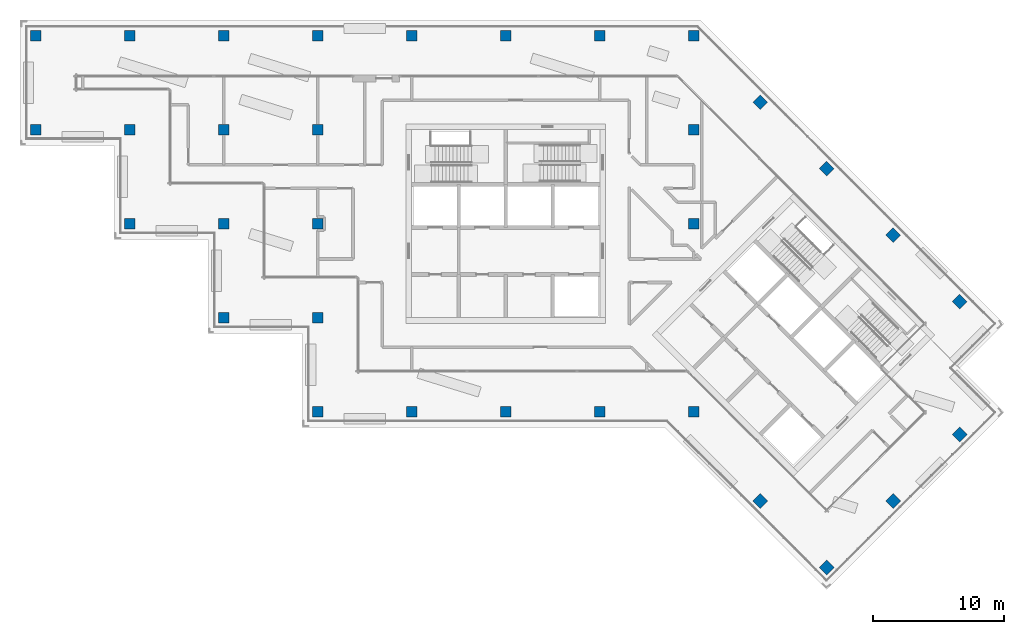
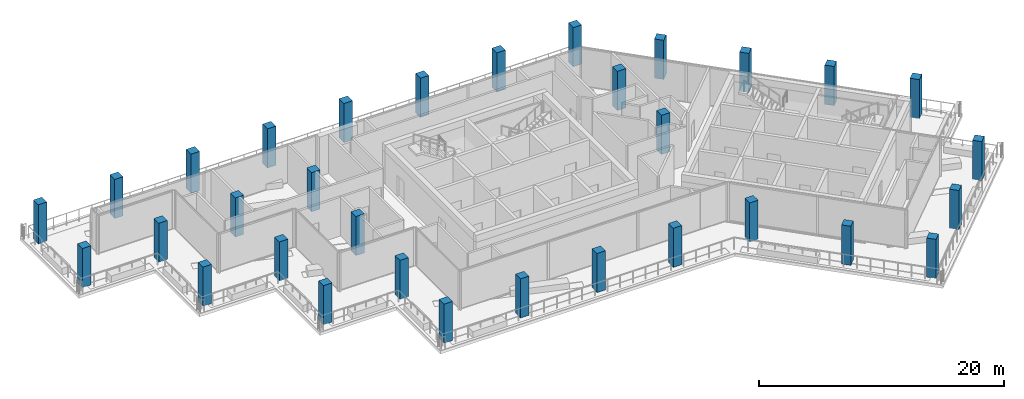
# One storey, part 1 of 20: 32 columns.
"""IFC4 building model written with IfcOpenShell, lengths in metres."""

from ifc_helpers import new_model, si_unit, direction, frame, origin, origin_2d, place, context, subcontext, project, spatial, rectangle, extrude, material, material_profile, profile_set, type_object, element, save


model = new_model("IFC4")

# Units and contexts
model_context = context("Model", 3, precision=1e-05, world=origin(), true_north=direction((0.0, 1.0)))
body_context = subcontext(model_context, "Body", "Model", "MODEL_VIEW")
ifc_project = project(units=[si_unit("LENGTHUNIT", "METRE"), si_unit("AREAUNIT", "SQUARE_METRE"), si_unit("VOLUMEUNIT", "CUBIC_METRE"), si_unit("PLANEANGLEUNIT", "RADIAN"), si_unit("MASSUNIT", "GRAM", prefix="KILO")], contexts=[model_context])

# Site, building, storey
site_placement = place(None, origin())
site = spatial("IfcSite", under=ifc_project, at=site_placement, CompositionType="ELEMENT")
building_placement = place(site_placement, origin())
building = spatial("IfcBuilding", under=site, at=building_placement, Name="Windrow Commons", CompositionType="ELEMENT")
storey_placement = place(building_placement, frame((0.0, 0.0, 239.6)))
storey = spatial("IfcBuildingStorey", under=building, at=storey_placement, Name="L65", CompositionType="ELEMENT", Elevation=239.6)

# Columns
ifc_material = material(Name="Concrete C50/60", Category="concrete")
ifc_material_profile = material_profile(ifc_material, rectangle(XDim=0.8, YDim=0.8, at=origin_2d()))
ifc_profile_set = profile_set([ifc_material_profile], Name="Concrete C50/60")
column_type = type_object("IfcColumnType", Name="RC COLUMN 800x800 C50/60", PredefinedType="COLUMN", material=ifc_profile_set)
for number, where, z_axis, x_axis, name in (
    (1, (28.8, 64.8, 0.0), (0.0, 0.0, 1.0), (1.0, 0.0, 0.0), "C-SG4-05I"),
    (2, (28.8, 72.0, 0.0), (0.0, 0.0, 1.0), (1.0, 0.0, 0.0), "C-SG4-05J"),
    (3, (36.0, 57.6, 0.0), (0.0, 0.0, 1.0), (1.0, 0.0, 0.0), "C-SG4-06H"),
    (4, (36.0, 64.8, 0.0), (0.0, 0.0, 1.0), (1.0, 0.0, 0.0), "C-SG4-06I"),
    (5, (36.0, 72.0, 0.0), (0.0, 0.0, 1.0), (1.0, 0.0, 0.0), "C-SG4-06J"),
    (6, (43.2, 50.4, 0.0), (0.0, 0.0, 1.0), (1.0, 0.0, 0.0), "C-SG4-07G"),
    (7, (43.2, 57.6, 0.0), (0.0, 0.0, 1.0), (1.0, 0.0, 0.0), "C-SG4-07H"),
    (8, (43.2, 64.8, 0.0), (0.0, 0.0, 1.0), (1.0, 0.0, 0.0), "C-SG4-07I"),
    (9, (43.2, 72.0, 0.0), (0.0, 0.0, 1.0), (1.0, 0.0, 0.0), "C-SG4-07J"),
    (10, (50.4, 43.2, 0.0), (0.0, 0.0, 1.0), (1.0, 0.0, 0.0), "C-SG4-08F"),
    (11, (50.4, 50.4, 0.0), (0.0, 0.0, 1.0), (1.0, 0.0, 0.0), "C-SG4-08G"),
    (12, (50.4, 57.6, 0.0), (0.0, 0.0, 1.0), (1.0, 0.0, 0.0), "C-SG4-08H"),
    (13, (50.4, 64.8, 0.0), (0.0, 0.0, 1.0), (1.0, 0.0, 0.0), "C-SG4-08I"),
    (14, (50.4, 72.0, 0.0), (0.0, 0.0, 1.0), (1.0, 0.0, 0.0), "C-SG4-08J"),
    (15, (57.6, 43.2, 0.0), (0.0, 0.0, 1.0), (1.0, 0.0, 0.0), "C-SG4-09F"),
    (16, (57.6, 72.0, 0.0), (0.0, 0.0, 1.0), (1.0, 0.0, 0.0), "C-SG4-09J"),
    (17, (64.8, 43.2, 0.0), (0.0, 0.0, 1.0), (1.0, 0.0, 0.0), "C-SG4-10F"),
    (18, (64.8, 72.0, 0.0), (0.0, 0.0, 1.0), (1.0, 0.0, 0.0), "C-SG4-10J"),
    (19, (72.0, 43.2, 0.0), (0.0, 0.0, 1.0), (1.0, 0.0, 0.0), "C-SG4-11F"),
    (20, (72.0, 72.0, 0.0), (0.0, 0.0, 1.0), (1.0, 0.0, 0.0), "C-SG4-11J"),
    (21, (79.2, 43.2, 0.0), (0.0, 0.0, 1.0), (1.0, 0.0, 0.0), "C-SG4-12F"),
    (22, (79.2, 57.6, 0.0), (0.0, 0.0, 1.0), (1.0, 0.0, 0.0), "C-SG4-12H"),
    (23, (79.2, 64.8, 0.0), (0.0, 0.0, 1.0), (1.0, 0.0, 0.0), "C-SG4-12I"),
    (24, (79.2, 72.0, 0.0), (0.0, 0.0, 1.0), (1.0, 0.0, 0.0), "C-SG4-12J"),
    (25, (84.2912, 66.9088, 0.0), (0.0, 0.0, 1.0), (0.7071067812, -0.7071067812, 0.0), "C-SG4-P2Q"),
    (26, (89.3823, 61.8177, 0.0), (0.0, 0.0, 1.0), (0.7071067812, -0.7071067812, 0.0), "C-SG4-P3Q"),
    (27, (94.4735, 56.7265, 0.0), (0.0, 0.0, 1.0), (0.7071067812, -0.7071067812, 0.0), "C-SG4-P4Q"),
    (28, (99.5647, 51.6353, 0.0), (0.0, 0.0, 1.0), (0.7071067812, -0.7071067812, 0.0), "C-SG4-P5Q"),
    (29, (84.2912, 36.3618, 0.0), (0.0, 0.0, 1.0), (0.7071067812, -0.7071067812, 0.0), "C-SG4-P5T"),
    (30, (99.5647, 41.453, 0.0), (0.0, 0.0, 1.0), (0.7071067812, -0.7071067812, 0.0), "C-SG4-P6R"),
    (31, (94.4735, 36.3618, 0.0), (0.0, 0.0, 1.0), (0.7071067812, -0.7071067812, 0.0), "C-SG4-P6S"),
    (32, (89.3823, 31.2706, 0.0), (0.0, 0.0, 1.0), (0.7071067812, -0.7071067812, 0.0), "C-SG4-P6T"),
):
    element("IfcColumn", number, at=place(storey_placement, frame(where, z_axis=z_axis, x_axis=x_axis)), inside=storey, type_object=column_type, Name=name, PredefinedType="COLUMN", context=body_context, shape_type="SweptSolid", body=[
        extrude(rectangle(XDim=0.8, YDim=0.8, at=origin_2d()), origin(), (0.0, 0.0, 1.0), 3.9),
    ])

save(model, "model.ifc")
